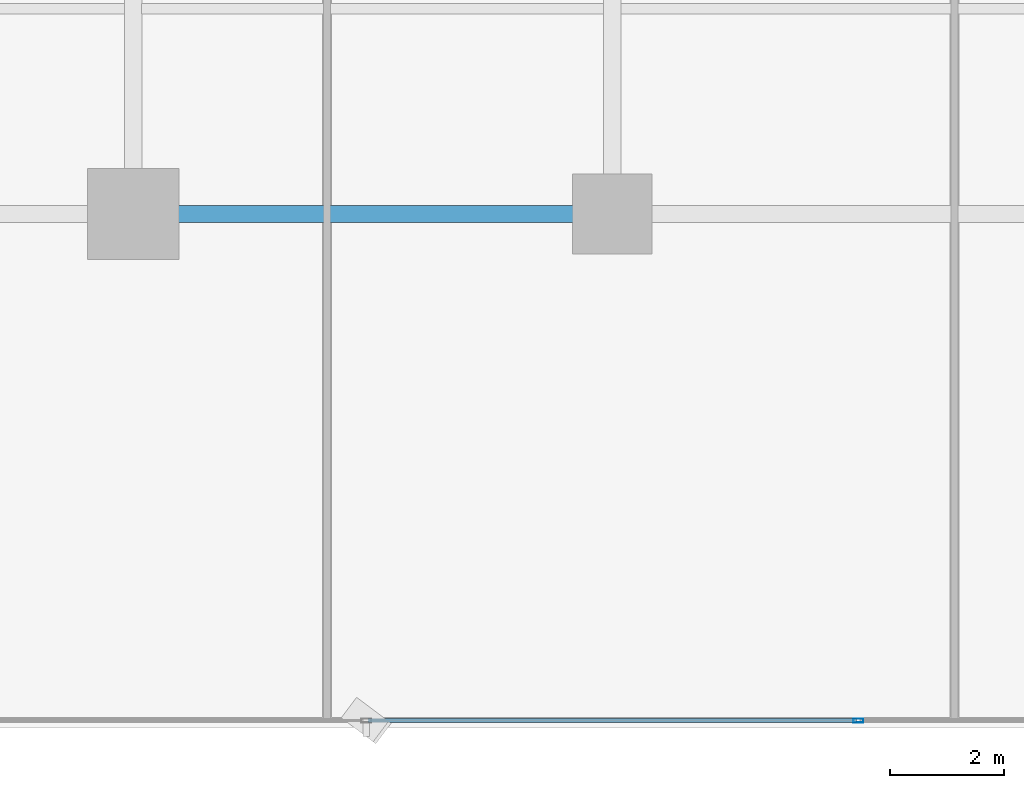
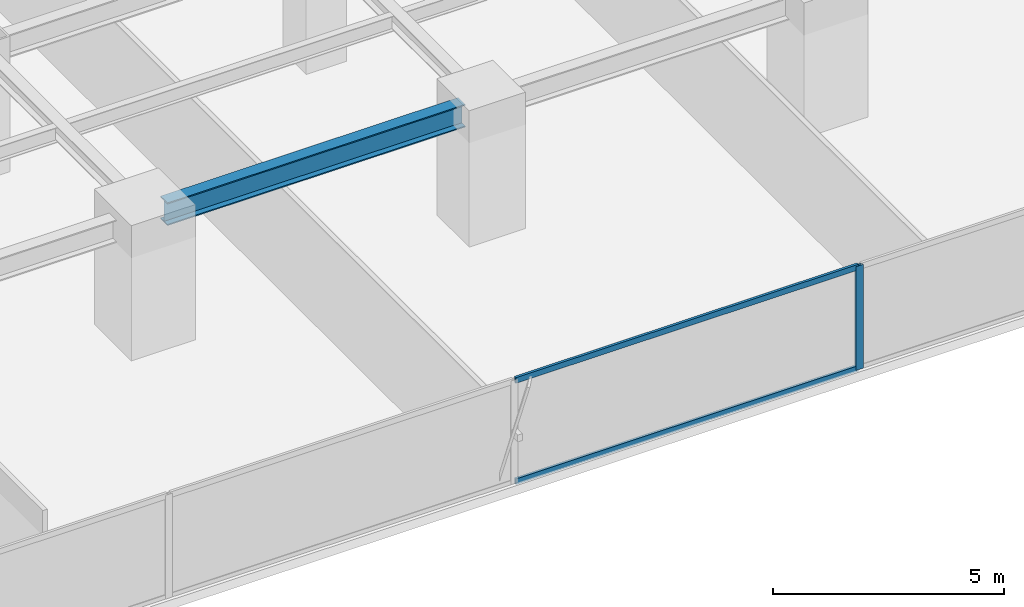
# One storey, part 5 of 33: 3 members, 1 beam, 1 element without a shape of its own.
"""IFC4 building model written with IfcOpenShell, lengths in metres."""

from ifc_helpers import new_model, si_unit, direction, frame, origin, origin_2d, place, context, subcontext, project, spatial, hollow_rectangle, i_section, extrude, source, transform, mapped, material, layer, layer_set, material_profile, profile_set, type_object, element, aggregate, save


model = new_model("IFC4")

# Units and contexts
model_context = context("Model", 3, precision=1e-05, world=origin(), true_north=direction((0.0, 1.0)))
body_context = subcontext(model_context, "Body", "Model", "MODEL_VIEW")
ifc_project = project(units=[si_unit("LENGTHUNIT", "METRE"), si_unit("AREAUNIT", "SQUARE_METRE"), si_unit("VOLUMEUNIT", "CUBIC_METRE"), si_unit("PLANEANGLEUNIT", "RADIAN"), si_unit("MASSUNIT", "GRAM", prefix="KILO")], contexts=[model_context])

# Site, building, storey
site_placement = place(None, origin())
site = spatial("IfcSite", under=ifc_project, at=site_placement, CompositionType="ELEMENT")
building_placement = place(site_placement, origin())
building = spatial("IfcBuilding", under=site, at=building_placement, Name="Sumidabori Civic Tower", CompositionType="ELEMENT")
storey_placement = place(building_placement, frame((0.0, 0.0, 27.199951171875)))
storey = spatial("IfcBuildingStorey", under=building, at=storey_placement, Name="L06", CompositionType="ELEMENT", Elevation=27.199951171875)

# Beam
ifc_material_1 = material(Name="Steel SN490", Category="steel")
ifc_material_profile_1 = material_profile(ifc_material_1, i_section(OverallWidth=0.300048828125, OverallDepth=0.60009765625, WebThickness=0.015380859375, FlangeThickness=0.030029296875, at=origin_2d()), Name="HE 600 B")
ifc_profile_set_1 = profile_set([ifc_material_profile_1], Name="Steel SN490")
beam_type = type_object("IfcBeamType", Name="BM-GIRD-600", PredefinedType="BEAM", material=ifc_profile_set_1)
shared_shape_1 = source(origin(), body_context, "Body", "SweptSolid", [
    extrude(i_section(OverallWidth=0.300048828125, OverallDepth=0.60009765625, WebThickness=0.015380859375, FlangeThickness=0.030029296875, at=origin_2d()), origin(), (0.0, 0.0, 1.0), 7.43994140625),
])
beam_placement = place(storey_placement, frame((-7.919921875, -18.0, 3.06005859375), z_axis=(1.0, 0.0, 0.0), x_axis=(0.0, 1.0, 0.0)))
element("IfcBeam", 1, at=beam_placement, inside=storey, type_object=beam_type, Name="Primary Girder L06 GX-03", PredefinedType="BEAM", context=body_context, shape_type="MappedRepresentation", body=[
    mapped(shared_shape_1, transform((0.0, 0.0, 0.0), x_axis=(1.0, 0.0, 0.0), y_axis=(0.0, 1.0, 0.0), z_axis=(0.0, 0.0, 1.0), scale=1.0)),
])

# Curtain wall, members
ifc_material_2 = material(Name="Anodised Bronze Aluminium AW-6063-T6", Category="aluminium")
ifc_layer = layer(ifc_material_2, 0.179931640625, Name="Anodised Bronze Aluminium AW-6063-T6")
ifc_layer_set = layer_set([ifc_layer], Name="Anodised Bronze Aluminium AW-6063-T6")
curtain_wall_type = type_object("IfcCurtainWallType", Name="CW-SYS-2", PredefinedType="NOTDEFINED", material=ifc_layer_set)
curtain_wall_placement = place(storey_placement, origin())
curtain_wall = element("IfcCurtainWall", 2, at=curtain_wall_placement, inside=storey, type_object=curtain_wall_type, Name="Curtain Wall CW:L06:R01", PredefinedType="NOTDEFINED")
ifc_material_profile_2 = material_profile(ifc_material_2, hollow_rectangle(XDim=0.070068359375, YDim=0.179931640625, WallThickness=0.006103515625, at=origin_2d()), Name="ALU MULLION 180x70")
ifc_profile_set_2 = profile_set([ifc_material_profile_2], Name="Anodised Bronze Aluminium AW-6063-T6")
member_type_1 = type_object("IfcMemberType", Name="CW-MUL-180", PredefinedType="MULLION", material=ifc_profile_set_2)
shared_shape_2 = source(origin(), body_context, "Body", "SweptSolid", [
    extrude(hollow_rectangle(XDim=0.070068359375, YDim=0.179931640625, WallThickness=0.006103515625, at=origin_2d()), origin(), (0.0, 0.0, 1.0), 2.739990234375),
])
member_1_placement = place(storey_placement, frame((4.31396484375, -26.8798828125, 0.0), z_axis=(0.0, 0.0, 1.0), x_axis=(0.0, 1.0, 0.0)))
member_1 = element("IfcMember", 3, at=member_1_placement, type_object=member_type_1, Name="CW-2 mullion 4", PredefinedType="MULLION", context=body_context, shape_type="MappedRepresentation", body=[
    mapped(shared_shape_2, transform((0.0, 0.0, 0.0), x_axis=(1.0, 0.0, 0.0), y_axis=(0.0, 1.0, 0.0), z_axis=(0.0, 0.0, 1.0), scale=1.0)),
])
ifc_material_profile_3 = material_profile(ifc_material_2, hollow_rectangle(XDim=0.06494140625, YDim=0.14990234375, WallThickness=0.0048828125, at=origin_2d()), Name="ALU TRANSOM 150x65")
ifc_profile_set_3 = profile_set([ifc_material_profile_3], Name="Anodised Bronze Aluminium AW-6063-T6")
member_type_2 = type_object("IfcMemberType", Name="CW-TRN-150", PredefinedType="USERDEFINED", material=ifc_profile_set_3)
shared_shape_3 = source(origin(), body_context, "Body", "SweptSolid", [
    extrude(hollow_rectangle(XDim=0.06494140625, YDim=0.14990234375, WallThickness=0.0048828125, at=origin_2d()), origin(), (0.0, 0.0, 1.0), 8.55810546875),
])
member_2_placement = place(storey_placement, frame((-4.279052734375, -26.8798828125, 0.032470703125), z_axis=(1.0, 0.0, 0.0), x_axis=(0.0, 1.0, 0.0)))
member_2 = element("IfcMember", 4, at=member_2_placement, type_object=member_type_2, Name="CW-2 transom 3.1", ObjectType="TRANSOM", PredefinedType="USERDEFINED", context=body_context, shape_type="MappedRepresentation", body=[
    mapped(shared_shape_3, transform((0.0, 0.0, 0.0), x_axis=(1.0, 0.0, 0.0), y_axis=(0.0, 1.0, 0.0), z_axis=(0.0, 0.0, 1.0), scale=1.0)),
])
member_3_placement = place(storey_placement, frame((-4.279052734375, -26.8798828125, 2.70751953125), z_axis=(1.0, 0.0, 0.0), x_axis=(0.0, 1.0, 0.0)))
member_3 = element("IfcMember", 5, at=member_3_placement, type_object=member_type_2, Name="CW-2 transom 3.2", ObjectType="TRANSOM", PredefinedType="USERDEFINED", context=body_context, shape_type="MappedRepresentation", body=[
    mapped(shared_shape_3, transform((0.0, 0.0, 0.0), x_axis=(1.0, 0.0, 0.0), y_axis=(0.0, 1.0, 0.0), z_axis=(0.0, 0.0, 1.0), scale=1.0)),
])
aggregate(curtain_wall, [member_1, member_2, member_3])

save(model, "model.ifc")
